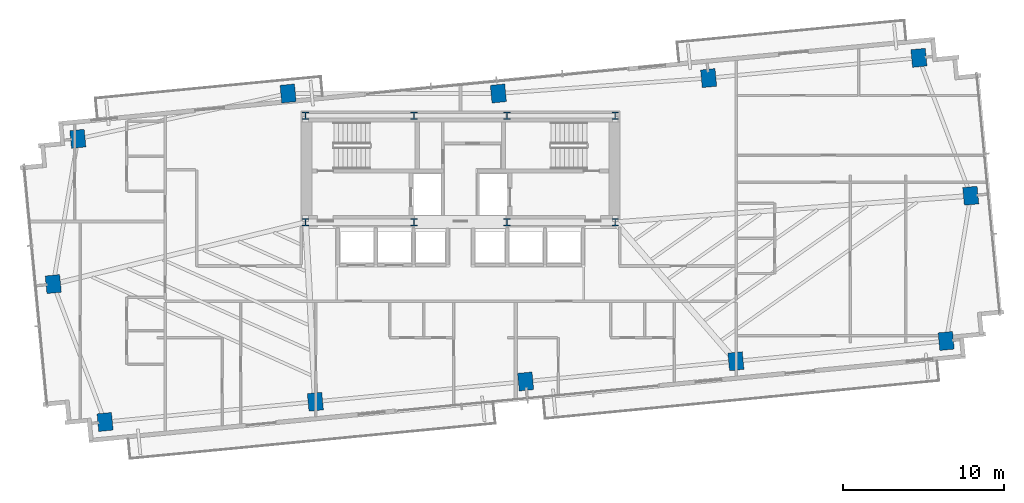
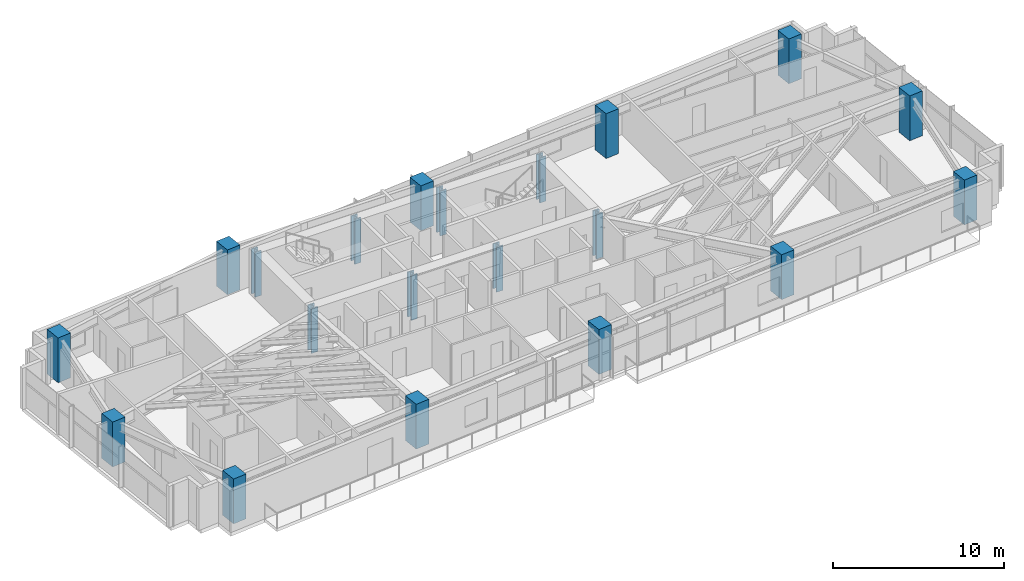
# One storey, part 1 of 27: 20 columns.
"""IFC4 building model written with IfcOpenShell, lengths in metres."""

from ifc_helpers import new_model, si_unit, direction, frame, origin, origin_2d, place, context, subcontext, project, spatial, rectangle, i_section, extrude, source, transform, mapped, material, material_profile, profile_set, type_object, type_shapes, element, save


model = new_model("IFC4")

# Units and contexts
model_context = context("Model", 3, precision=1e-05, world=origin(), true_north=direction((0.0, 1.0)))
body_context = subcontext(model_context, "Body", "Model", "MODEL_VIEW")
ifc_project = project(units=[si_unit("LENGTHUNIT", "METRE"), si_unit("AREAUNIT", "SQUARE_METRE"), si_unit("VOLUMEUNIT", "CUBIC_METRE"), si_unit("PLANEANGLEUNIT", "RADIAN"), si_unit("MASSUNIT", "GRAM", prefix="KILO")], contexts=[model_context])

# Site, building, storey
site_placement = place(None, origin())
site = spatial("IfcSite", under=ifc_project, at=site_placement, CompositionType="ELEMENT")
building_placement = place(site_placement, origin())
building = spatial("IfcBuilding", under=site, at=building_placement, Name="Astriad Promenade Condominiums", CompositionType="ELEMENT")
storey_placement = place(building_placement, frame((0.0, 0.0, 90.60009765625)))
storey = spatial("IfcBuildingStorey", under=building, at=storey_placement, Name="L25", CompositionType="ELEMENT", Elevation=90.60009765625)

# Columns
ifc_material_1 = material(Name="Steel ASTM A992 Grade 50", Category="steel")
ifc_material_profile_1 = material_profile(ifc_material_1, i_section(OverallWidth=0.427490234375, OverallDepth=0.483154296875, WebThickness=0.05126953125, FlangeThickness=0.08154296875, FilletRadius=0.017822265625, at=origin_2d()), Name="W14X455")
ifc_profile_set_1 = profile_set([ifc_material_profile_1], Name="Steel ASTM A992 Grade 50")
column_type_1 = type_object("IfcColumnType", Name="STEEL CORE PILASTER W14X455", PredefinedType="PILASTER", material=ifc_profile_set_1)
shared_shape_1 = source(origin(), body_context, "Body", "SweptSolid", [
    extrude(i_section(OverallWidth=0.427490234375, OverallDepth=0.483154296875, WebThickness=0.05126953125, FlangeThickness=0.08154296875, FilletRadius=0.017822265625, at=origin_2d()), origin(), (0.0, 0.0, 1.0), 3.196044921875),
])
type_shapes(column_type_1, [shared_shape_1])
for number, where, z_axis, x_axis, name in (
    (1, (26.39990234375, 17.39990234375, 0.001953125), (0.0, 0.0, 1.0), (1.0, 0.0, 0.0), "Core Pilaster Column CP1 (L25)"),
    (2, (33.1201171875, 17.39990234375, 0.001953125), (0.0, 0.0, 1.0), (1.0, 0.0, 0.0), "Core Pilaster Column CP2 (L25)"),
    (3, (38.8798828125, 17.39990234375, 0.001953125), (0.0, 0.0, 1.0), (1.0, 0.0, 0.0), "Core Pilaster Column CP3 (L25)"),
    (4, (45.60009765625, 17.39990234375, 0.001953125), (0.0, 0.0, 1.0), (1.0, 0.0, 0.0), "Core Pilaster Column CP4 (L25)"),
    (5, (26.39990234375, 24.0, 0.001953125), (0.0, 0.0, 1.0), (1.0, 0.0, 0.0), "Core Pilaster Column CP5 (L25)"),
    (6, (33.1201171875, 24.0, 0.001953125), (0.0, 0.0, 1.0), (1.0, 0.0, 0.0), "Core Pilaster Column CP6 (L25)"),
    (7, (38.8798828125, 24.0, 0.001953125), (0.0, 0.0, 1.0), (1.0, 0.0, 0.0), "Core Pilaster Column CP7 (L25)"),
    (8, (45.60009765625, 24.0, 0.001953125), (0.0, 0.0, 1.0), (1.0, 0.0, 0.0), "Core Pilaster Column CP8 (L25)"),
):
    element("IfcColumn", number, at=place(storey_placement, frame(where, z_axis=z_axis, x_axis=x_axis)), inside=storey, type_object=column_type_1, Name=name, PredefinedType="PILASTER", context=body_context, shape_type="MappedRepresentation", body=[
        mapped(shared_shape_1, transform((0.0, 0.0, 0.0), scale=1.0)),
    ])
ifc_material_2 = material(Name="Concrete C60/75", Category="concrete")
ifc_material_profile_2 = material_profile(ifc_material_2, rectangle(XDim=0.89990234375, YDim=1.10009765625, at=origin_2d()), Name="RC-COL-1100X900")
ifc_profile_set_2 = profile_set([ifc_material_profile_2], Name="Concrete C60/75")
column_type_2 = type_object("IfcColumnType", Name="CONCRETE TOWER COLUMN 1100X900", PredefinedType="COLUMN", material=ifc_profile_set_2)
shared_shape_2 = source(origin(), body_context, "Body", "SweptSolid", [
    extrude(rectangle(XDim=0.89990234375, YDim=1.10009765625, at=origin_2d()), origin(), (0.0, 0.0, 1.0), 3.196044921875),
])
type_shapes(column_type_2, [shared_shape_2])
for number, where, z_axis, x_axis, name in (
    (9, (13.966064453125, 5.009521484375, 0.001953125), (0.0, 0.0, 1.0), (0.995396198367, 0.09584575252, 0.0), "Perimeter Column PC01 (L25)"),
    (10, (27.005615234375, 6.264892578125, 0.001953125), (0.0, 0.0, 1.0), (0.995396198367, 0.09584575252, 0.0), "Perimeter Column PC02 (L25)"),
    (11, (40.04541015625, 7.5205078125, 0.001953125), (0.0, 0.0, 1.0), (0.995396198367, 0.09584575252, 0.0), "Perimeter Column PC03 (L25)"),
    (12, (53.0849609375, 8.776123046875, 0.001953125), (0.0, 0.0, 1.0), (0.995396198367, 0.09584575252, 0.0), "Perimeter Column PC04 (L25)"),
    (13, (66.124755859375, 10.03173828125, 0.001953125), (0.0, 0.0, 1.0), (0.995396198367, 0.09584575252, 0.0), "Perimeter Column PC05 (L25)"),
    (14, (12.275390625, 22.568115234375, 0.001953125), (0.0, 0.0, 1.0), (0.995396198367, 0.09584575252, 0.0), "Perimeter Column PC06 (L25)"),
    (15, (25.31494140625, 25.3798828125, 0.001953125), (0.0, 0.0, 1.0), (0.995396198367, 0.09584575252, 0.0), "Perimeter Column PC07 (L25)"),
    (16, (38.3544921875, 25.3798828125, 0.001953125), (0.0, 0.0, 1.0), (0.995396198367, 0.09584575252, 0.0), "Perimeter Column PC08 (L25)"),
    (17, (51.394287109375, 26.3349609375, 0.001953125), (0.0, 0.0, 1.0), (0.995396198367, 0.09584575252, 0.0), "Perimeter Column PC09 (L25)"),
    (18, (64.43408203125, 27.590576171875, 0.001953125), (0.0, 0.0, 1.0), (0.995396198367, 0.09584575252, 0.0), "Perimeter Column PC10 (L25)"),
    (19, (10.751708984375, 13.560791015625, 0.001953125), (0.0, 0.0, 1.0), (0.995396198367, 0.09584575252, 0.0), "Perimeter Column PC11 (L25)"),
    (20, (67.6484375, 19.039306640625, 0.001953125), (0.0, 0.0, 1.0), (0.995396198367, 0.09584575252, 0.0), "Perimeter Column PC12 (L25)"),
):
    element("IfcColumn", number, at=place(storey_placement, frame(where, z_axis=z_axis, x_axis=x_axis)), inside=storey, type_object=column_type_2, Name=name, PredefinedType="COLUMN", context=body_context, shape_type="MappedRepresentation", body=[
        mapped(shared_shape_2, transform((0.0, 0.0, 0.0), scale=1.0)),
    ])

save(model, "model.ifc")
